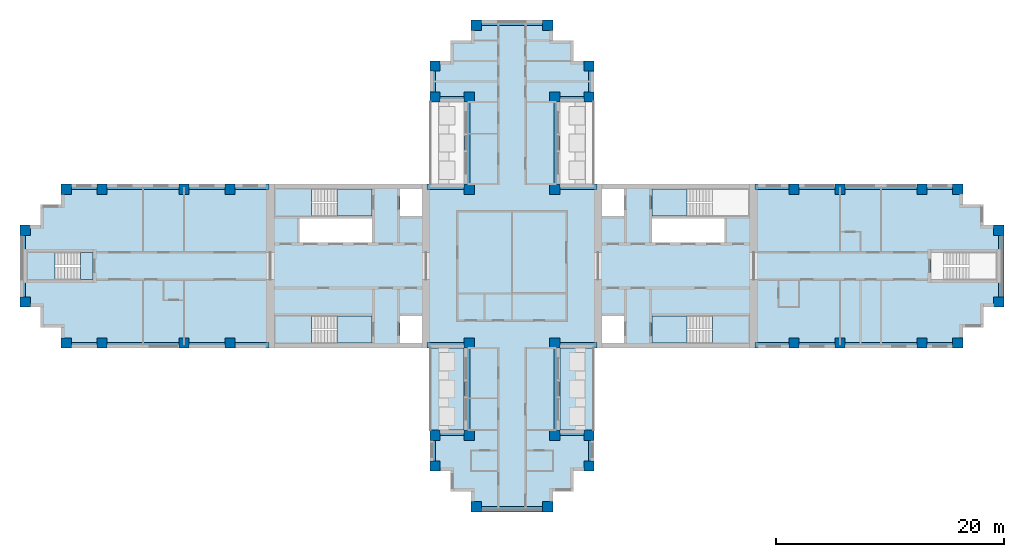
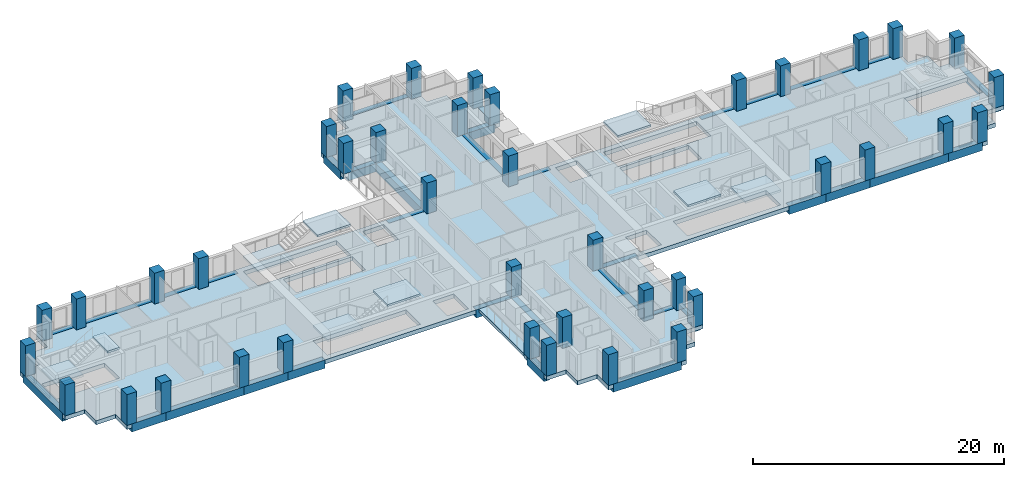
# One storey, part 1 of 12: 40 columns, 36 beams, 12 slabs, 5 elements without a shape of their own.
"""IFC4 building model written with IfcOpenShell, lengths in metres."""

import ifcopenshell
import ifcopenshell.guid

model = None  # the IFC model being written
_history = None  # IfcOwnerHistory: only IFC2X3 demands one
_inside = {}  # id of a spatial element -> (the spatial element, [elements in it])
_under = {}  # id of a project, library or spatial element -> (it, [spatial elements below it])
_declared = {}  # id of a project -> (the project, [libraries it declares])
_typed = {}  # id of a type object -> (the type object, [elements of that type])
_made_of = {}  # id of a material, layer set ... -> (it, [elements and type objects made of it])


def new_model(schema):
    """Start an empty IFC model of exactly this schema.

    Asked for "IFC4X3", IfcOpenShell would pick the latest addendum, in which some entities
    have other attributes; the version numbers below select the first issue.
    IFC2X3 requires an IfcOwnerHistory on every rooted entity: one is made here for all.
    """
    global model, _history
    if schema == "IFC4X3":
        model = ifcopenshell.file(schema_version=(4, 3, 0, 0))
    else:
        model = ifcopenshell.file(schema=schema)
    _inside.clear()
    _under.clear()
    _declared.clear()
    _typed.clear()
    _made_of.clear()
    _history = None
    if model.schema == "IFC2X3":
        org = make("IfcOrganization", Name="unknown")
        user = make(
            "IfcPersonAndOrganization",
            ThePerson=make("IfcPerson", FamilyName="unknown"),
            TheOrganization=org,
        )
        app = make(
            "IfcApplication",
            ApplicationDeveloper=org,
            Version="unknown",
            ApplicationFullName="unknown",
            ApplicationIdentifier="unknown",
        )
        _history = make(
            "IfcOwnerHistory",
            OwningUser=user,
            OwningApplication=app,
            ChangeAction="ADDED",
            CreationDate=0,
        )
    return model


def make(cls, **values):
    """One entity of the class cls with the attributes given. An attribute that is None is left unset."""
    return model.create_entity(
        cls, **{name: value for name, value in values.items() if value is not None}
    )


def rooted(cls, **values):
    """An entity with a GlobalId (a new one), such as an element, a storey or a relation."""
    return make(cls, GlobalId=ifcopenshell.guid.new(), OwnerHistory=_history, **values)


def si_unit(unit_type, name, prefix=None):
    """IfcSIUnit, for example si_unit("LENGTHUNIT", "METRE", prefix="MILLI")."""
    return make("IfcSIUnit", UnitType=unit_type, Prefix=prefix, Name=name)


def assignment(units):
    """IfcUnitAssignment: the units of a project."""
    return None if units is None else make("IfcUnitAssignment", Units=units)


def point(xyz):
    """IfcCartesianPoint."""
    return None if xyz is None else make("IfcCartesianPoint", Coordinates=xyz)


def direction(xyz):
    """IfcDirection."""
    return None if xyz is None else make("IfcDirection", DirectionRatios=xyz)


def frame(location, z_axis=None, x_axis=None):
    """IfcAxis2Placement3D, a coordinate frame: its origin and axes. An axis left out is left unset."""
    return make(
        "IfcAxis2Placement3D",
        Location=point(location),
        Axis=direction(z_axis),
        RefDirection=direction(x_axis),
    )


def frame_2d(location, x_axis=None):
    """IfcAxis2Placement2D, a coordinate frame in the plane: its origin and x axis."""
    return make(
        "IfcAxis2Placement2D", Location=point(location), RefDirection=direction(x_axis)
    )


def origin():
    """The frame at (0, 0, 0) with its axes left unset."""
    return frame((0.0, 0.0, 0.0))


def origin_2d():
    """The frame at (0, 0) in the plane with its x axis left unset."""
    return frame_2d((0.0, 0.0))


def place(relative_to, where):
    """IfcLocalPlacement: puts the frame where relative to a parent placement (None: the world)."""
    return make(
        "IfcLocalPlacement", PlacementRelTo=relative_to, RelativePlacement=where
    )


def context(
    kind, dimensions, precision=None, world=None, true_north=None, identifier=None
):
    """IfcGeometricRepresentationContext, for example the 3D "Model" context."""
    return make(
        "IfcGeometricRepresentationContext",
        ContextIdentifier=identifier,
        ContextType=kind,
        CoordinateSpaceDimension=dimensions,
        Precision=precision,
        WorldCoordinateSystem=world,
        TrueNorth=true_north,
    )


def subcontext(parent, identifier, kind, view, scale=None):
    """IfcGeometricRepresentationSubContext, for example "Body" below "Model"."""
    return make(
        "IfcGeometricRepresentationSubContext",
        ContextIdentifier=identifier,
        ContextType=kind,
        ParentContext=parent,
        TargetScale=scale,
        TargetView=view,
    )


def project(units=None, contexts=None):
    """IfcProject with its units and contexts."""
    return rooted(
        "IfcProject",
        Name="project",
        RepresentationContexts=contexts,
        UnitsInContext=assignment(units),
    )


def spatial(cls, under=None, at=None, **own):
    """A site, building, storey or space (cls), placed at a placement, below another one or the project."""
    s = rooted(cls, ObjectPlacement=at, **own)
    if under is not None:
        _under.setdefault(under.id(), (under, []))[1].append(s)
    return s


def polyline(points):
    """IfcPolyline through the points."""
    return make("IfcPolyline", Points=[point(p) for p in points])


def profile(cls, at=None, kind="AREA", **sizes):
    """A parametric profile (cls). Its sizes go by their IFC names, for example OverallWidth=200.0."""
    return make(cls, ProfileType=kind, Position=at, **sizes)


def rectangle(**sizes):
    """IfcRectangleProfileDef."""
    return profile("IfcRectangleProfileDef", **sizes)


def outline(outer, holes=None, kind="AREA"):
    """IfcArbitraryClosedProfileDef: a profile drawn as a closed curve; with holes, ...WithVoids."""
    if holes is None:
        return make("IfcArbitraryClosedProfileDef", ProfileType=kind, OuterCurve=outer)
    return make(
        "IfcArbitraryProfileDefWithVoids",
        ProfileType=kind,
        OuterCurve=outer,
        InnerCurves=holes,
    )


def extrude(swept, where, along, depth):
    """IfcExtrudedAreaSolid: the profile swept, set in the frame where, extruded along a direction by depth."""
    return make(
        "IfcExtrudedAreaSolid",
        SweptArea=swept,
        Position=where,
        ExtrudedDirection=direction(along),
        Depth=depth,
    )


def shape(context_of_items, identifier, shape_type, items):
    """IfcShapeRepresentation: the items that make up one representation, for example the "Body"."""
    return make(
        "IfcShapeRepresentation",
        ContextOfItems=context_of_items,
        RepresentationIdentifier=identifier,
        RepresentationType=shape_type,
        Items=items,
    )


def material(Name=None, Category=None):
    """IfcMaterial."""
    return make("IfcMaterial", Name=Name, Category=Category)


def layer(
    of_material, thickness, ventilated=None, Name=None, Category=None, Priority=None
):
    """IfcMaterialLayer: one layer of a wall or slab, of a material (None: an air gap)."""
    return make(
        "IfcMaterialLayer",
        Material=of_material,
        LayerThickness=thickness,
        IsVentilated=ventilated,
        Name=Name,
        Category=Category,
        Priority=Priority,
    )


def layer_set(layers, Name=None):
    """IfcMaterialLayerSet."""
    return make("IfcMaterialLayerSet", MaterialLayers=layers, LayerSetName=Name)


def material_profile(
    of_material, cross_section, Name=None, Category=None, Priority=None
):
    """IfcMaterialProfile: a cross section and its material."""
    return make(
        "IfcMaterialProfile",
        Name=Name,
        Material=of_material,
        Profile=cross_section,
        Priority=Priority,
        Category=Category,
    )


def profile_set(profiles, Name=None, composite=None):
    """IfcMaterialProfileSet."""
    return make(
        "IfcMaterialProfileSet",
        Name=Name,
        MaterialProfiles=profiles,
        CompositeProfile=composite,
    )


def made_of(thing, what):
    """Note that an element or type object is made of a material, layer set ...; save() writes the relation."""
    if what is not None:
        _made_of.setdefault(what.id(), (what, []))[1].append(thing)
    return thing


def type_object(cls, material=None, **own):
    """A type object (cls), such as IfcWallType, which elements share."""
    return made_of(rooted(cls, **own), material)


def element(
    cls,
    number,
    at=None,
    inside=None,
    cuts=None,
    type_object=None,
    material=None,
    context=None,
    identifier="Body",
    shape_type=None,
    held_by="IfcProductDefinitionShape",
    body=None,
    shapes=None,
    **own,
):
    """One element of the class cls, such as IfcWall. Its Tag is "e" and its number.

    at: its placement. inside: the storey or other place that contains it. cuts: it is an
    opening in that element (IfcRelVoidsElement). A single representation is given by context,
    identifier, shape_type and body (its items); several are given by shapes. held_by: the class
    of the entity that holds the representations. save() writes the other relations.
    """
    e = rooted(cls, Tag="e%d" % number, ObjectPlacement=at, **own)
    if body is not None:
        shapes = [shape(context, identifier, shape_type, body)]
    if shapes is not None:
        e.Representation = make(held_by, Representations=shapes)
    if inside is not None:
        _inside.setdefault(inside.id(), (inside, []))[1].append(e)
    if cuts is not None:
        rooted(
            "IfcRelVoidsElement", RelatingBuildingElement=cuts, RelatedOpeningElement=e
        )
    if type_object is not None:
        _typed.setdefault(type_object.id(), (type_object, []))[1].append(e)
    return made_of(e, material)


def aggregate(whole, parts):
    """IfcRelAggregates: a whole, such as a stair, and the parts it consists of."""
    return rooted("IfcRelAggregates", RelatingObject=whole, RelatedObjects=parts)


def save(model, path):
    """Write the relations noted so far, then the file.

    IfcRelAggregates (storeys below a building ...), IfcRelContainedInSpatialStructure (elements
    in a storey), IfcRelDefinesByType, IfcRelAssociatesMaterial and IfcRelDeclares: one each for
    every whole, place, type object, material and project.
    """
    for whole, parts in _under.values():
        aggregate(whole, parts)
    for where, things in _inside.values():
        rooted(
            "IfcRelContainedInSpatialStructure",
            RelatedElements=things,
            RelatingStructure=where,
        )
    for kind, things in _typed.values():
        rooted("IfcRelDefinesByType", RelatedObjects=things, RelatingType=kind)
    for what, things in _made_of.values():
        rooted("IfcRelAssociatesMaterial", RelatedObjects=things, RelatingMaterial=what)
    for by, libraries in _declared.values():
        rooted("IfcRelDeclares", RelatingContext=by, RelatedDefinitions=libraries)
    model.write(path)


model = new_model("IFC4")

# Units and contexts
model_context = context("Model", 3, precision=1e-05, world=origin(), true_north=direction((0.0, 1.0)))
body_context = subcontext(model_context, "Body", "Model", "MODEL_VIEW")
ifc_project = project(units=[si_unit("LENGTHUNIT", "METRE"), si_unit("AREAUNIT", "SQUARE_METRE"), si_unit("VOLUMEUNIT", "CUBIC_METRE"), si_unit("PLANEANGLEUNIT", "RADIAN"), si_unit("MASSUNIT", "GRAM", prefix="KILO")], contexts=[model_context])

# Site, building, storey
site_placement = place(None, origin())
site = spatial("IfcSite", under=ifc_project, at=site_placement, CompositionType="ELEMENT")
building_placement = place(site_placement, origin())
building = spatial("IfcBuilding", under=site, at=building_placement, Name="Fustian Cross Tower", CompositionType="ELEMENT")
storey_placement = place(building_placement, frame((0.0, 0.0, 159.300048828125)))
storey = spatial("IfcBuildingStorey", under=building, at=storey_placement, Name="L50", CompositionType="ELEMENT", Elevation=159.300048828125)

# Columns
ifc_material_1 = material(Name="Concrete C50/60", Category="concrete")
ifc_material_profile_1 = material_profile(ifc_material_1, rectangle(XDim=0.89990234375, YDim=0.89990234375, at=origin_2d()), Name="RC 900x900")
ifc_profile_set_1 = profile_set([ifc_material_profile_1], Name="Concrete C50/60")
column_type = type_object("IfcColumnType", Name="COLUMN RC 900x900 C50/60", PredefinedType="COLUMN", material=ifc_profile_set_1)
for number, where, z_axis, x_axis, name in (
    (1, (-42.75, -3.14990234375, 0.0), (0.0, 0.0, 1.0), (1.0, 0.0, 0.0), "COLUMN 001"),
    (2, (-42.75, 3.14990234375, 0.0), (0.0, 0.0, 1.0), (1.0, 0.0, 0.0), "COLUMN 002"),
    (3, (-39.14990234375, -6.75, 0.0), (0.0, 0.0, 1.0), (1.0, 0.0, 0.0), "COLUMN 003"),
    (4, (-39.14990234375, 6.75, 0.0), (0.0, 0.0, 1.0), (1.0, 0.0, 0.0), "COLUMN 004"),
    (5, (-36.0, -6.75, 0.0), (0.0, 0.0, 1.0), (1.0, 0.0, 0.0), "COLUMN 005"),
    (6, (-36.0, 6.75, 0.0), (0.0, 0.0, 1.0), (1.0, 0.0, 0.0), "COLUMN 006"),
    (7, (-28.800048828125, -6.75, 0.0), (0.0, 0.0, 1.0), (1.0, 0.0, 0.0), "COLUMN 007"),
    (8, (-28.800048828125, 6.75, 0.0), (0.0, 0.0, 1.0), (1.0, 0.0, 0.0), "COLUMN 010"),
    (9, (-24.75, -6.75, 0.0), (0.0, 0.0, 1.0), (1.0, 0.0, 0.0), "COLUMN 011"),
    (10, (-24.75, 6.75, 0.0), (0.0, 0.0, 1.0), (1.0, 0.0, 0.0), "COLUMN 012"),
    (11, (-6.75, -17.550048828125, 0.0), (0.0, 0.0, 1.0), (1.0, 0.0, 0.0), "COLUMN 017"),
    (12, (-6.75, -14.85009765625, 0.0), (0.0, 0.0, 1.0), (1.0, 0.0, 0.0), "COLUMN 018"),
    (13, (-6.75, 14.85009765625, 0.0), (0.0, 0.0, 1.0), (1.0, 0.0, 0.0), "COLUMN 019"),
    (14, (-6.75, 17.550048828125, 0.0), (0.0, 0.0, 1.0), (1.0, 0.0, 0.0), "COLUMN 020"),
    (15, (-3.75, -14.85009765625, 0.0), (0.0, 0.0, 1.0), (1.0, 0.0, 0.0), "COLUMN 025"),
    (16, (-3.75, -6.75, 0.0), (0.0, 0.0, 1.0), (1.0, 0.0, 0.0), "COLUMN 026"),
    (17, (-3.75, 6.75, 0.0), (0.0, 0.0, 1.0), (1.0, 0.0, 0.0), "COLUMN 027"),
    (18, (-3.75, 14.85009765625, 0.0), (0.0, 0.0, 1.0), (1.0, 0.0, 0.0), "COLUMN 028"),
    (19, (-3.14990234375, -21.14990234375, 0.0), (0.0, 0.0, 1.0), (1.0, 0.0, 0.0), "COLUMN 030"),
    (20, (-3.14990234375, 21.14990234375, 0.0), (0.0, 0.0, 1.0), (1.0, 0.0, 0.0), "COLUMN 031"),
    (21, (3.14990234375, -21.14990234375, 0.0), (0.0, 0.0, 1.0), (1.0, 0.0, 0.0), "COLUMN 034"),
    (22, (3.14990234375, 21.14990234375, 0.0), (0.0, 0.0, 1.0), (1.0, 0.0, 0.0), "COLUMN 035"),
    (23, (3.75, -14.85009765625, 0.0), (0.0, 0.0, 1.0), (1.0, 0.0, 0.0), "COLUMN 037"),
    (24, (3.75, -6.75, 0.0), (0.0, 0.0, 1.0), (1.0, 0.0, 0.0), "COLUMN 038"),
    (25, (3.75, 6.75, 0.0), (0.0, 0.0, 1.0), (1.0, 0.0, 0.0), "COLUMN 039"),
    (26, (3.75, 14.85009765625, 0.0), (0.0, 0.0, 1.0), (1.0, 0.0, 0.0), "COLUMN 040"),
    (27, (6.75, -17.550048828125, 0.0), (0.0, 0.0, 1.0), (1.0, 0.0, 0.0), "COLUMN 045"),
    (28, (6.75, -14.85009765625, 0.0), (0.0, 0.0, 1.0), (1.0, 0.0, 0.0), "COLUMN 046"),
    (29, (6.75, 14.85009765625, 0.0), (0.0, 0.0, 1.0), (1.0, 0.0, 0.0), "COLUMN 047"),
    (30, (6.75, 17.550048828125, 0.0), (0.0, 0.0, 1.0), (1.0, 0.0, 0.0), "COLUMN 048"),
    (31, (24.75, -6.75, 0.0), (0.0, 0.0, 1.0), (1.0, 0.0, 0.0), "COLUMN 053"),
    (32, (24.75, 6.75, 0.0), (0.0, 0.0, 1.0), (1.0, 0.0, 0.0), "COLUMN 054"),
    (33, (28.800048828125, -6.75, 0.0), (0.0, 0.0, 1.0), (1.0, 0.0, 0.0), "COLUMN 055"),
    (34, (28.800048828125, 6.75, 0.0), (0.0, 0.0, 1.0), (1.0, 0.0, 0.0), "COLUMN 058"),
    (35, (36.0, -6.75, 0.0), (0.0, 0.0, 1.0), (1.0, 0.0, 0.0), "COLUMN 059"),
    (36, (36.0, 6.75, 0.0), (0.0, 0.0, 1.0), (1.0, 0.0, 0.0), "COLUMN 060"),
    (37, (39.14990234375, -6.75, 0.0), (0.0, 0.0, 1.0), (1.0, 0.0, 0.0), "COLUMN 061"),
    (38, (39.14990234375, 6.75, 0.0), (0.0, 0.0, 1.0), (1.0, 0.0, 0.0), "COLUMN 062"),
    (39, (42.75, -3.14990234375, 0.0), (0.0, 0.0, 1.0), (1.0, 0.0, 0.0), "COLUMN 063"),
    (40, (42.75, 3.14990234375, 0.0), (0.0, 0.0, 1.0), (1.0, 0.0, 0.0), "COLUMN 064"),
):
    element("IfcColumn", number, at=place(storey_placement, frame(where, z_axis=z_axis, x_axis=x_axis)), inside=storey, type_object=column_type, Name=name, PredefinedType="COLUMN", context=body_context, shape_type="SweptSolid", body=[
        extrude(rectangle(XDim=0.89990234375, YDim=0.89990234375, at=origin_2d()), origin(), (0.0, 0.0, 1.0), 3.0),
    ])

# Beams
ifc_material_2 = material(Name="Concrete C50/60", Category="concrete")
ifc_material_profile_2 = material_profile(ifc_material_2, rectangle(XDim=0.5, YDim=0.800048828125, at=origin_2d()), Name="RC 500x800")
ifc_profile_set_2 = profile_set([ifc_material_profile_2], Name="Concrete C50/60")
beam_type = type_object("IfcBeamType", Name="EDGE BEAM RC 500x800 C50/60", PredefinedType="SPANDREL", material=ifc_profile_set_2)
beam_1_placement = place(storey_placement, frame((21.35009765625, -6.949951171875, -0.400146484375), z_axis=(1.0, 0.0, 0.0), x_axis=(0.0, 1.0, 0.0)))
element("IfcBeam", 41, at=beam_1_placement, inside=storey, type_object=beam_type, Name="EDGE BEAM L50-01", PredefinedType="SPANDREL", context=body_context, shape_type="SweptSolid", body=[
    extrude(rectangle(XDim=0.5, YDim=0.800048828125, at=origin_2d()), origin(), (0.0, 0.0, 1.0), 3.39990234375),
])
beam_2_placement = place(storey_placement, frame((24.75, -6.949951171875, -0.400146484375), z_axis=(1.0, 0.0, 0.0), x_axis=(0.0, 1.0, 0.0)))
element("IfcBeam", 42, at=beam_2_placement, inside=storey, type_object=beam_type, Name="EDGE BEAM L50-02", PredefinedType="SPANDREL", context=body_context, shape_type="SweptSolid", body=[
    extrude(rectangle(XDim=0.5, YDim=0.800048828125, at=origin_2d()), origin(), (0.0, 0.0, 1.0), 4.050048828125),
])
beam_3_placement = place(storey_placement, frame((28.800048828125, -6.949951171875, -0.400146484375), z_axis=(1.0, 0.0, 0.0), x_axis=(0.0, 1.0, 0.0)))
element("IfcBeam", 43, at=beam_3_placement, inside=storey, type_object=beam_type, Name="EDGE BEAM L50-03", PredefinedType="SPANDREL", context=body_context, shape_type="SweptSolid", body=[
    extrude(rectangle(XDim=0.5, YDim=0.800048828125, at=origin_2d()), origin(), (0.0, 0.0, 1.0), 7.199951171875),
])
beam_4_placement = place(storey_placement, frame((36.0, -6.949951171875, -0.400146484375), z_axis=(1.0, 0.0, 0.0), x_axis=(0.0, 1.0, 0.0)))
element("IfcBeam", 44, at=beam_4_placement, inside=storey, type_object=beam_type, Name="EDGE BEAM L50-04", PredefinedType="SPANDREL", context=body_context, shape_type="SweptSolid", body=[
    extrude(rectangle(XDim=0.5, YDim=0.800048828125, at=origin_2d()), origin(), (0.0, 0.0, 1.0), 3.14990234375),
])
beam_5_placement = place(storey_placement, frame((42.949951171875, -3.14990234375, -0.400146484375), z_axis=(0.0, 1.0, 0.0), x_axis=(-1.0, 0.0, 0.0)))
element("IfcBeam", 45, at=beam_5_placement, inside=storey, type_object=beam_type, Name="EDGE BEAM L50-05", PredefinedType="SPANDREL", context=body_context, shape_type="SweptSolid", body=[
    extrude(rectangle(XDim=0.5, YDim=0.800048828125, at=origin_2d()), origin(), (0.0, 0.0, 1.0), 6.2998046875),
])
beam_6_placement = place(storey_placement, frame((39.14990234375, 6.949951171875, -0.400146484375), z_axis=(-1.0, 0.0, 0.0), x_axis=(0.0, -1.0, 0.0)))
element("IfcBeam", 46, at=beam_6_placement, inside=storey, type_object=beam_type, Name="EDGE BEAM L50-06", PredefinedType="SPANDREL", context=body_context, shape_type="SweptSolid", body=[
    extrude(rectangle(XDim=0.5, YDim=0.800048828125, at=origin_2d()), origin(), (0.0, 0.0, 1.0), 3.14990234375),
])
beam_7_placement = place(storey_placement, frame((36.0, 6.949951171875, -0.400146484375), z_axis=(-1.0, 0.0, 0.0), x_axis=(0.0, -1.0, 0.0)))
element("IfcBeam", 47, at=beam_7_placement, inside=storey, type_object=beam_type, Name="EDGE BEAM L50-07", PredefinedType="SPANDREL", context=body_context, shape_type="SweptSolid", body=[
    extrude(rectangle(XDim=0.5, YDim=0.800048828125, at=origin_2d()), origin(), (0.0, 0.0, 1.0), 7.199951171875),
])
beam_8_placement = place(storey_placement, frame((28.800048828125, 6.949951171875, -0.400146484375), z_axis=(-1.0, 0.0, 0.0), x_axis=(0.0, -1.0, 0.0)))
element("IfcBeam", 48, at=beam_8_placement, inside=storey, type_object=beam_type, Name="EDGE BEAM L50-08", PredefinedType="SPANDREL", context=body_context, shape_type="SweptSolid", body=[
    extrude(rectangle(XDim=0.5, YDim=0.800048828125, at=origin_2d()), origin(), (0.0, 0.0, 1.0), 4.050048828125),
])
beam_9_placement = place(storey_placement, frame((24.75, 6.949951171875, -0.400146484375), z_axis=(-1.0, 0.0, 0.0), x_axis=(0.0, -1.0, 0.0)))
element("IfcBeam", 49, at=beam_9_placement, inside=storey, type_object=beam_type, Name="EDGE BEAM L50-09", PredefinedType="SPANDREL", context=body_context, shape_type="SweptSolid", body=[
    extrude(rectangle(XDim=0.5, YDim=0.800048828125, at=origin_2d()), origin(), (0.0, 0.0, 1.0), 3.39990234375),
])
beam_10_placement = place(storey_placement, frame((7.449951171875, 6.949951171875, -0.400146484375), z_axis=(-1.0, 0.0, 0.0), x_axis=(0.0, -1.0, 0.0)))
element("IfcBeam", 50, at=beam_10_placement, inside=storey, type_object=beam_type, Name="EDGE BEAM L50-10", PredefinedType="SPANDREL", context=body_context, shape_type="SweptSolid", body=[
    extrude(rectangle(XDim=0.5, YDim=0.800048828125, at=origin_2d()), origin(), (0.0, 0.0, 1.0), 3.699951171875),
])
beam_11_placement = place(storey_placement, frame((3.949951171875, 6.75, -0.400146484375), z_axis=(0.0, 1.0, 0.0), x_axis=(-1.0, 0.0, 0.0)))
element("IfcBeam", 51, at=beam_11_placement, inside=storey, type_object=beam_type, Name="EDGE BEAM L50-11", PredefinedType="SPANDREL", context=body_context, shape_type="SweptSolid", body=[
    extrude(rectangle(XDim=0.5, YDim=0.800048828125, at=origin_2d()), origin(), (0.0, 0.0, 1.0), 8.10009765625),
])
beam_12_placement = place(storey_placement, frame((3.75, 14.64990234375, -0.400146484375), z_axis=(1.0, 0.0, 0.0), x_axis=(0.0, 1.0, 0.0)))
element("IfcBeam", 52, at=beam_12_placement, inside=storey, type_object=beam_type, Name="EDGE BEAM L50-12", PredefinedType="SPANDREL", context=body_context, shape_type="SweptSolid", body=[
    extrude(rectangle(XDim=0.5, YDim=0.800048828125, at=origin_2d()), origin(), (0.0, 0.0, 1.0), 3.0),
])
beam_13_placement = place(storey_placement, frame((6.949951171875, 14.85009765625, -0.400146484375), z_axis=(0.0, 1.0, 0.0), x_axis=(-1.0, 0.0, 0.0)))
element("IfcBeam", 53, at=beam_13_placement, inside=storey, type_object=beam_type, Name="EDGE BEAM L50-13", PredefinedType="SPANDREL", context=body_context, shape_type="SweptSolid", body=[
    extrude(rectangle(XDim=0.5, YDim=0.800048828125, at=origin_2d()), origin(), (0.0, 0.0, 1.0), 2.699951171875),
])
beam_14_placement = place(storey_placement, frame((3.14990234375, 21.35009765625, -0.400146484375), z_axis=(-1.0, 0.0, 0.0), x_axis=(0.0, -1.0, 0.0)))
element("IfcBeam", 54, at=beam_14_placement, inside=storey, type_object=beam_type, Name="EDGE BEAM L50-14", PredefinedType="SPANDREL", context=body_context, shape_type="SweptSolid", body=[
    extrude(rectangle(XDim=0.5, YDim=0.800048828125, at=origin_2d()), origin(), (0.0, 0.0, 1.0), 6.2998046875),
])
beam_15_placement = place(storey_placement, frame((-6.949951171875, 17.550048828125, -0.400146484375), z_axis=(0.0, -1.0, 0.0), x_axis=(1.0, 0.0, 0.0)))
element("IfcBeam", 55, at=beam_15_placement, inside=storey, type_object=beam_type, Name="EDGE BEAM L50-15", PredefinedType="SPANDREL", context=body_context, shape_type="SweptSolid", body=[
    extrude(rectangle(XDim=0.5, YDim=0.800048828125, at=origin_2d()), origin(), (0.0, 0.0, 1.0), 2.699951171875),
])
beam_16_placement = place(storey_placement, frame((-6.75, 14.64990234375, -0.400146484375), z_axis=(1.0, 0.0, 0.0), x_axis=(0.0, 1.0, 0.0)))
element("IfcBeam", 56, at=beam_16_placement, inside=storey, type_object=beam_type, Name="EDGE BEAM L50-16", PredefinedType="SPANDREL", context=body_context, shape_type="SweptSolid", body=[
    extrude(rectangle(XDim=0.5, YDim=0.800048828125, at=origin_2d()), origin(), (0.0, 0.0, 1.0), 3.0),
])
beam_17_placement = place(storey_placement, frame((-3.949951171875, 14.85009765625, -0.400146484375), z_axis=(0.0, -1.0, 0.0), x_axis=(1.0, 0.0, 0.0)))
element("IfcBeam", 57, at=beam_17_placement, inside=storey, type_object=beam_type, Name="EDGE BEAM L50-17", PredefinedType="SPANDREL", context=body_context, shape_type="SweptSolid", body=[
    extrude(rectangle(XDim=0.5, YDim=0.800048828125, at=origin_2d()), origin(), (0.0, 0.0, 1.0), 8.10009765625),
])
beam_18_placement = place(storey_placement, frame((-3.75, 6.949951171875, -0.400146484375), z_axis=(-1.0, 0.0, 0.0), x_axis=(0.0, -1.0, 0.0)))
element("IfcBeam", 58, at=beam_18_placement, inside=storey, type_object=beam_type, Name="EDGE BEAM L50-18", PredefinedType="SPANDREL", context=body_context, shape_type="SweptSolid", body=[
    extrude(rectangle(XDim=0.5, YDim=0.800048828125, at=origin_2d()), origin(), (0.0, 0.0, 1.0), 3.699951171875),
])
beam_19_placement = place(storey_placement, frame((-21.35009765625, 6.949951171875, -0.400146484375), z_axis=(-1.0, 0.0, 0.0), x_axis=(0.0, -1.0, 0.0)))
element("IfcBeam", 59, at=beam_19_placement, inside=storey, type_object=beam_type, Name="EDGE BEAM L50-19", PredefinedType="SPANDREL", context=body_context, shape_type="SweptSolid", body=[
    extrude(rectangle(XDim=0.5, YDim=0.800048828125, at=origin_2d()), origin(), (0.0, 0.0, 1.0), 3.39990234375),
])
beam_20_placement = place(storey_placement, frame((-24.75, 6.949951171875, -0.400146484375), z_axis=(-1.0, 0.0, 0.0), x_axis=(0.0, -1.0, 0.0)))
element("IfcBeam", 60, at=beam_20_placement, inside=storey, type_object=beam_type, Name="EDGE BEAM L50-20", PredefinedType="SPANDREL", context=body_context, shape_type="SweptSolid", body=[
    extrude(rectangle(XDim=0.5, YDim=0.800048828125, at=origin_2d()), origin(), (0.0, 0.0, 1.0), 4.050048828125),
])
beam_21_placement = place(storey_placement, frame((-28.800048828125, 6.949951171875, -0.400146484375), z_axis=(-1.0, 0.0, 0.0), x_axis=(0.0, -1.0, 0.0)))
element("IfcBeam", 61, at=beam_21_placement, inside=storey, type_object=beam_type, Name="EDGE BEAM L50-21", PredefinedType="SPANDREL", context=body_context, shape_type="SweptSolid", body=[
    extrude(rectangle(XDim=0.5, YDim=0.800048828125, at=origin_2d()), origin(), (0.0, 0.0, 1.0), 7.199951171875),
])
beam_22_placement = place(storey_placement, frame((-36.0, 6.949951171875, -0.400146484375), z_axis=(-1.0, 0.0, 0.0), x_axis=(0.0, -1.0, 0.0)))
element("IfcBeam", 62, at=beam_22_placement, inside=storey, type_object=beam_type, Name="EDGE BEAM L50-22", PredefinedType="SPANDREL", context=body_context, shape_type="SweptSolid", body=[
    extrude(rectangle(XDim=0.5, YDim=0.800048828125, at=origin_2d()), origin(), (0.0, 0.0, 1.0), 3.14990234375),
])
beam_23_placement = place(storey_placement, frame((-42.949951171875, 3.14990234375, -0.400146484375), z_axis=(0.0, -1.0, 0.0), x_axis=(1.0, 0.0, 0.0)))
element("IfcBeam", 63, at=beam_23_placement, inside=storey, type_object=beam_type, Name="EDGE BEAM L50-23", PredefinedType="SPANDREL", context=body_context, shape_type="SweptSolid", body=[
    extrude(rectangle(XDim=0.5, YDim=0.800048828125, at=origin_2d()), origin(), (0.0, 0.0, 1.0), 6.2998046875),
])
beam_24_placement = place(storey_placement, frame((-39.14990234375, -6.949951171875, -0.400146484375), z_axis=(1.0, 0.0, 0.0), x_axis=(0.0, 1.0, 0.0)))
element("IfcBeam", 64, at=beam_24_placement, inside=storey, type_object=beam_type, Name="EDGE BEAM L50-24", PredefinedType="SPANDREL", context=body_context, shape_type="SweptSolid", body=[
    extrude(rectangle(XDim=0.5, YDim=0.800048828125, at=origin_2d()), origin(), (0.0, 0.0, 1.0), 3.14990234375),
])
beam_25_placement = place(storey_placement, frame((-36.0, -6.949951171875, -0.400146484375), z_axis=(1.0, 0.0, 0.0), x_axis=(0.0, 1.0, 0.0)))
element("IfcBeam", 65, at=beam_25_placement, inside=storey, type_object=beam_type, Name="EDGE BEAM L50-25", PredefinedType="SPANDREL", context=body_context, shape_type="SweptSolid", body=[
    extrude(rectangle(XDim=0.5, YDim=0.800048828125, at=origin_2d()), origin(), (0.0, 0.0, 1.0), 7.199951171875),
])
beam_26_placement = place(storey_placement, frame((-28.800048828125, -6.949951171875, -0.400146484375), z_axis=(1.0, 0.0, 0.0), x_axis=(0.0, 1.0, 0.0)))
element("IfcBeam", 66, at=beam_26_placement, inside=storey, type_object=beam_type, Name="EDGE BEAM L50-26", PredefinedType="SPANDREL", context=body_context, shape_type="SweptSolid", body=[
    extrude(rectangle(XDim=0.5, YDim=0.800048828125, at=origin_2d()), origin(), (0.0, 0.0, 1.0), 4.050048828125),
])
beam_27_placement = place(storey_placement, frame((-24.75, -6.949951171875, -0.400146484375), z_axis=(1.0, 0.0, 0.0), x_axis=(0.0, 1.0, 0.0)))
element("IfcBeam", 67, at=beam_27_placement, inside=storey, type_object=beam_type, Name="EDGE BEAM L50-27", PredefinedType="SPANDREL", context=body_context, shape_type="SweptSolid", body=[
    extrude(rectangle(XDim=0.5, YDim=0.800048828125, at=origin_2d()), origin(), (0.0, 0.0, 1.0), 3.39990234375),
])
beam_28_placement = place(storey_placement, frame((-7.449951171875, -6.949951171875, -0.400146484375), z_axis=(1.0, 0.0, 0.0), x_axis=(0.0, 1.0, 0.0)))
element("IfcBeam", 68, at=beam_28_placement, inside=storey, type_object=beam_type, Name="EDGE BEAM L50-28", PredefinedType="SPANDREL", context=body_context, shape_type="SweptSolid", body=[
    extrude(rectangle(XDim=0.5, YDim=0.800048828125, at=origin_2d()), origin(), (0.0, 0.0, 1.0), 3.699951171875),
])
beam_29_placement = place(storey_placement, frame((-3.949951171875, -6.75, -0.400146484375), z_axis=(0.0, -1.0, 0.0), x_axis=(1.0, 0.0, 0.0)))
element("IfcBeam", 69, at=beam_29_placement, inside=storey, type_object=beam_type, Name="EDGE BEAM L50-29", PredefinedType="SPANDREL", context=body_context, shape_type="SweptSolid", body=[
    extrude(rectangle(XDim=0.5, YDim=0.800048828125, at=origin_2d()), origin(), (0.0, 0.0, 1.0), 8.10009765625),
])
beam_30_placement = place(storey_placement, frame((-3.75, -14.64990234375, -0.400146484375), z_axis=(-1.0, 0.0, 0.0), x_axis=(0.0, -1.0, 0.0)))
element("IfcBeam", 70, at=beam_30_placement, inside=storey, type_object=beam_type, Name="EDGE BEAM L50-30", PredefinedType="SPANDREL", context=body_context, shape_type="SweptSolid", body=[
    extrude(rectangle(XDim=0.5, YDim=0.800048828125, at=origin_2d()), origin(), (0.0, 0.0, 1.0), 3.0),
])
beam_31_placement = place(storey_placement, frame((-6.949951171875, -14.85009765625, -0.400146484375), z_axis=(0.0, -1.0, 0.0), x_axis=(1.0, 0.0, 0.0)))
element("IfcBeam", 71, at=beam_31_placement, inside=storey, type_object=beam_type, Name="EDGE BEAM L50-31", PredefinedType="SPANDREL", context=body_context, shape_type="SweptSolid", body=[
    extrude(rectangle(XDim=0.5, YDim=0.800048828125, at=origin_2d()), origin(), (0.0, 0.0, 1.0), 2.699951171875),
])
beam_32_placement = place(storey_placement, frame((-3.14990234375, -21.35009765625, -0.400146484375), z_axis=(1.0, 0.0, 0.0), x_axis=(0.0, 1.0, 0.0)))
element("IfcBeam", 72, at=beam_32_placement, inside=storey, type_object=beam_type, Name="EDGE BEAM L50-32", PredefinedType="SPANDREL", context=body_context, shape_type="SweptSolid", body=[
    extrude(rectangle(XDim=0.5, YDim=0.800048828125, at=origin_2d()), origin(), (0.0, 0.0, 1.0), 6.2998046875),
])
beam_33_placement = place(storey_placement, frame((6.949951171875, -17.550048828125, -0.400146484375), z_axis=(0.0, 1.0, 0.0), x_axis=(-1.0, 0.0, 0.0)))
element("IfcBeam", 73, at=beam_33_placement, inside=storey, type_object=beam_type, Name="EDGE BEAM L50-33", PredefinedType="SPANDREL", context=body_context, shape_type="SweptSolid", body=[
    extrude(rectangle(XDim=0.5, YDim=0.800048828125, at=origin_2d()), origin(), (0.0, 0.0, 1.0), 2.699951171875),
])
beam_34_placement = place(storey_placement, frame((6.75, -14.64990234375, -0.400146484375), z_axis=(-1.0, 0.0, 0.0), x_axis=(0.0, -1.0, 0.0)))
element("IfcBeam", 74, at=beam_34_placement, inside=storey, type_object=beam_type, Name="EDGE BEAM L50-34", PredefinedType="SPANDREL", context=body_context, shape_type="SweptSolid", body=[
    extrude(rectangle(XDim=0.5, YDim=0.800048828125, at=origin_2d()), origin(), (0.0, 0.0, 1.0), 3.0),
])
beam_35_placement = place(storey_placement, frame((3.949951171875, -14.85009765625, -0.400146484375), z_axis=(0.0, 1.0, 0.0), x_axis=(-1.0, 0.0, 0.0)))
element("IfcBeam", 75, at=beam_35_placement, inside=storey, type_object=beam_type, Name="EDGE BEAM L50-35", PredefinedType="SPANDREL", context=body_context, shape_type="SweptSolid", body=[
    extrude(rectangle(XDim=0.5, YDim=0.800048828125, at=origin_2d()), origin(), (0.0, 0.0, 1.0), 8.10009765625),
])
beam_36_placement = place(storey_placement, frame((3.75, -6.949951171875, -0.400146484375), z_axis=(1.0, 0.0, 0.0), x_axis=(0.0, 1.0, 0.0)))
element("IfcBeam", 76, at=beam_36_placement, inside=storey, type_object=beam_type, Name="EDGE BEAM L50-36", PredefinedType="SPANDREL", context=body_context, shape_type="SweptSolid", body=[
    extrude(rectangle(XDim=0.5, YDim=0.800048828125, at=origin_2d()), origin(), (0.0, 0.0, 1.0), 3.699951171875),
])

# Slabs
ifc_material_3 = material(Name="Concrete C40/50", Category="concrete")
ifc_layer_1 = layer(ifc_material_3, 0.300048828125)
ifc_layer_set_1 = layer_set([ifc_layer_1], Name="Concrete C40/50")
slab_type_1 = type_object("IfcSlabType", Name="BS1 BALCONY SLAB 300", PredefinedType="FLOOR", material=ifc_layer_set_1)
slab_1_placement = place(storey_placement, frame((0.0, 0.0, -0.300048828125)))
element("IfcSlab", 77, at=slab_1_placement, inside=storey, type_object=slab_type_1, Name="Balcony slab", PredefinedType="FLOOR", context=body_context, shape_type="SweptSolid", body=[
    extrude(outline(polyline([(4.199951171875, -14.39990234375), (7.199951171875, -14.39990234375), (7.199951171875, -7.199951171875), (4.199951171875, -7.199951171875), (4.199951171875, -14.39990234375)])), origin(), (0.0, 0.0, 1.0), 0.300048828125),
])
slab_2_placement = place(storey_placement, frame((0.0, 0.0, -0.300048828125)))
element("IfcSlab", 78, at=slab_2_placement, inside=storey, type_object=slab_type_1, Name="Balcony slab", PredefinedType="FLOOR", context=body_context, shape_type="SweptSolid", body=[
    extrude(outline(polyline([(-7.199951171875, -14.39990234375), (-4.199951171875, -14.39990234375), (-4.199951171875, -7.199951171875), (-7.199951171875, -7.199951171875), (-7.199951171875, -14.39990234375)])), origin(), (0.0, 0.0, 1.0), 0.300048828125),
])
ifc_material_4 = material(Name="Concrete C40/50", Category="concrete")
ifc_layer_2 = layer(ifc_material_4, 0.39990234375)
ifc_layer_set_2 = layer_set([ifc_layer_2], Name="Concrete C40/50")
slab_type_2 = type_object("IfcSlabType", Name="FLAT SLAB 400", PredefinedType="FLOOR", material=ifc_layer_set_2)
slab_3_placement = place(storey_placement, frame((0.0, 0.0, -0.400146484375)))
element("IfcSlab", 79, at=slab_3_placement, inside=storey, type_object=slab_type_2, Name="FLOOR SLAB L50-1", PredefinedType="FLOOR", context=body_context, shape_type="SweptSolid", body=[
    extrude(outline(polyline([(-5.39990234375, -18.0), (-7.199951171875, -18.0), (-7.199951171875, -14.39990234375), (-4.199951171875, -14.39990234375), (-4.199951171875, -7.199951171875), (-39.60009765625, -7.199951171875), (-39.60009765625, -5.39990234375), (-41.39990234375, -5.39990234375), (-41.39990234375, -3.60009765625), (-43.199951171875, -3.60009765625), (-43.199951171875, 3.60009765625), (-41.39990234375, 3.60009765625), (-41.39990234375, 5.39990234375), (-39.60009765625, 5.39990234375), (-39.60009765625, 7.199951171875), (-4.199951171875, 7.199951171875), (-4.199951171875, 14.39990234375), (-7.199951171875, 14.39990234375), (-7.199951171875, 18.0), (-5.39990234375, 18.0), (-5.39990234375, 19.800048828125), (-3.60009765625, 19.800048828125), (-3.60009765625, 21.60009765625), (3.60009765625, 21.60009765625), (3.60009765625, 19.800048828125), (5.39990234375, 19.800048828125), (5.39990234375, 18.0), (7.199951171875, 18.0), (7.199951171875, 14.39990234375), (4.199951171875, 14.39990234375), (4.199951171875, 7.199951171875), (39.60009765625, 7.199951171875), (39.60009765625, 5.39990234375), (41.39990234375, 5.39990234375), (41.39990234375, 3.60009765625), (43.199951171875, 3.60009765625), (43.199951171875, -3.60009765625), (41.39990234375, -3.60009765625), (41.39990234375, -5.39990234375), (39.60009765625, -5.39990234375), (39.60009765625, -7.199951171875), (4.199951171875, -7.199951171875), (4.199951171875, -14.39990234375), (7.199951171875, -14.39990234375), (7.199951171875, -18.0), (5.39990234375, -18.0), (5.39990234375, -19.800048828125), (3.60009765625, -19.800048828125), (3.60009765625, -21.60009765625), (-3.60009765625, -21.60009765625), (-3.60009765625, -19.800048828125), (-5.39990234375, -19.800048828125), (-5.39990234375, -18.0)]), holes=[polyline([(9.85009765625, 4.39990234375), (9.85009765625, 6.75), (7.89990234375, 6.75), (7.89990234375, 4.39990234375), (9.85009765625, 4.39990234375)]), polyline([(7.89990234375, -6.75), (9.85009765625, -6.75), (9.85009765625, -4.39990234375), (7.89990234375, -4.39990234375), (7.89990234375, -6.75)]), polyline([(-9.85009765625, 6.75), (-9.85009765625, 4.39990234375), (-7.89990234375, 4.39990234375), (-7.89990234375, 6.75), (-9.85009765625, 6.75)]), polyline([(-7.89990234375, -4.39990234375), (-9.85009765625, -4.39990234375), (-9.85009765625, -6.75), (-7.89990234375, -6.75), (-7.89990234375, -4.39990234375)]), polyline([(18.64990234375, 2.050048828125), (18.64990234375, 4.14990234375), (12.300048828125, 4.14990234375), (12.300048828125, 2.050048828125), (18.64990234375, 2.050048828125)]), polyline([(-18.64990234375, 2.050048828125), (-12.300048828125, 2.050048828125), (-12.300048828125, 4.14990234375), (-18.64990234375, 4.14990234375), (-18.64990234375, 2.050048828125)]), polyline([(12.300048828125, 6.699951171875), (12.300048828125, 4.39990234375), (20.85009765625, 4.39990234375), (20.85009765625, 6.699951171875), (12.300048828125, 6.699951171875)]), polyline([(20.85009765625, -4.39990234375), (12.300048828125, -4.39990234375), (12.300048828125, -6.699951171875), (20.85009765625, -6.699951171875), (20.85009765625, -4.39990234375)]), polyline([(-12.300048828125, 4.39990234375), (-12.300048828125, 6.699951171875), (-20.85009765625, 6.699951171875), (-20.85009765625, 4.39990234375), (-12.300048828125, 4.39990234375)]), polyline([(-20.85009765625, -6.699951171875), (-12.300048828125, -6.699951171875), (-12.300048828125, -4.39990234375), (-20.85009765625, -4.39990234375), (-20.85009765625, -6.699951171875)]), polyline([(36.800048828125, 1.199951171875), (36.800048828125, -1.199951171875), (42.60009765625, -1.199951171875), (42.60009765625, 1.199951171875), (36.800048828125, 1.199951171875)]), polyline([(-36.800048828125, 1.199951171875), (-42.60009765625, 1.199951171875), (-42.60009765625, -1.199951171875), (-36.800048828125, -1.199951171875), (-36.800048828125, 1.199951171875)])]), origin(), (0.0, 0.0, 1.0), 0.400146484375),
])

# Stair, slab
ifc_material_5 = material(Name="Concrete C50/60", Category="concrete")
stair_type_1 = type_object("IfcStairType", Name="STAIR 1150 HALF TURN", PredefinedType="HALF_TURN_STAIR", material=ifc_material_5)
stair_1_placement = place(storey_placement, origin())
stair_1 = element("IfcStair", 80, at=stair_1_placement, inside=storey, type_object=stair_type_1, Name="Stair ST1", PredefinedType="HALF_TURN_STAIR")
ifc_material_6 = material(Name="Concrete C50/60", Category="concrete")
ifc_layer_3 = layer(ifc_material_6, 0.199951171875)
ifc_layer_set_3 = layer_set([ifc_layer_3], Name="Concrete C50/60")
slab_type_3 = type_object("IfcSlabType", Name="STAIR LANDING", PredefinedType="LANDING", material=ifc_layer_set_3)
slab_4_placement = place(storey_placement, frame((0.0, 0.0, 2.800048828125)))
slab_4 = element("IfcSlab", 81, at=slab_4_placement, type_object=slab_type_3, Name="ST1 landing 2", PredefinedType="LANDING", context=body_context, shape_type="SweptSolid", body=[
    extrude(outline(polyline([(12.300048828125, 4.39990234375), (15.35009765625, 4.39990234375), (15.35009765625, 6.75), (12.300048828125, 6.75), (12.300048828125, 4.39990234375)])), origin(), (0.0, 0.0, 1.0), 0.199951171875),
])
aggregate(stair_1, [slab_4])

# Stair, slabs
stair_2_placement = place(storey_placement, origin())
stair_2 = element("IfcStair", 82, at=stair_2_placement, inside=storey, type_object=stair_type_1, Name="Stair ST2", PredefinedType="HALF_TURN_STAIR")
slab_5_placement = place(storey_placement, frame((0.0, 0.0, 1.300048828125)))
slab_5 = element("IfcSlab", 83, at=slab_5_placement, type_object=slab_type_3, Name="ST2 landing 1", PredefinedType="LANDING", context=body_context, shape_type="SweptSolid", body=[
    extrude(outline(polyline([(17.590087890625, -4.39990234375), (20.85009765625, -4.39990234375), (20.85009765625, -6.75), (17.590087890625, -6.75), (17.590087890625, -4.39990234375)])), origin(), (0.0, 0.0, 1.0), 0.199951171875),
])
slab_6_placement = place(storey_placement, frame((0.0, 0.0, 2.800048828125)))
slab_6 = element("IfcSlab", 84, at=slab_6_placement, type_object=slab_type_3, Name="ST2 landing 2", PredefinedType="LANDING", context=body_context, shape_type="SweptSolid", body=[
    extrude(outline(polyline([(12.300048828125, -4.39990234375), (15.35009765625, -4.39990234375), (15.35009765625, -6.75), (12.300048828125, -6.75), (12.300048828125, -4.39990234375)])), origin(), (0.0, 0.0, 1.0), 0.199951171875),
])
aggregate(stair_2, [slab_5, slab_6])

stair_3_placement = place(storey_placement, origin())
stair_3 = element("IfcStair", 85, at=stair_3_placement, inside=storey, type_object=stair_type_1, Name="Stair ST3", PredefinedType="HALF_TURN_STAIR")
slab_7_placement = place(storey_placement, frame((0.0, 0.0, 1.300048828125)))
slab_7 = element("IfcSlab", 86, at=slab_7_placement, type_object=slab_type_3, Name="ST3 landing 1", PredefinedType="LANDING", context=body_context, shape_type="SweptSolid", body=[
    extrude(outline(polyline([(-17.590087890625, 4.39990234375), (-20.85009765625, 4.39990234375), (-20.85009765625, 6.75), (-17.590087890625, 6.75), (-17.590087890625, 4.39990234375)])), origin(), (0.0, 0.0, 1.0), 0.199951171875),
])
slab_8_placement = place(storey_placement, frame((0.0, 0.0, 2.800048828125)))
slab_8 = element("IfcSlab", 87, at=slab_8_placement, type_object=slab_type_3, Name="ST3 landing 2", PredefinedType="LANDING", context=body_context, shape_type="SweptSolid", body=[
    extrude(outline(polyline([(-12.300048828125, 4.39990234375), (-15.35009765625, 4.39990234375), (-15.35009765625, 6.75), (-12.300048828125, 6.75), (-12.300048828125, 4.39990234375)])), origin(), (0.0, 0.0, 1.0), 0.199951171875),
])
aggregate(stair_3, [slab_7, slab_8])

stair_4_placement = place(storey_placement, origin())
stair_4 = element("IfcStair", 88, at=stair_4_placement, inside=storey, type_object=stair_type_1, Name="Stair ST4", PredefinedType="HALF_TURN_STAIR")
slab_9_placement = place(storey_placement, frame((0.0, 0.0, 1.300048828125)))
slab_9 = element("IfcSlab", 89, at=slab_9_placement, type_object=slab_type_3, Name="ST4 landing 1", PredefinedType="LANDING", context=body_context, shape_type="SweptSolid", body=[
    extrude(outline(polyline([(-17.590087890625, -4.39990234375), (-20.85009765625, -4.39990234375), (-20.85009765625, -6.75), (-17.590087890625, -6.75), (-17.590087890625, -4.39990234375)])), origin(), (0.0, 0.0, 1.0), 0.199951171875),
])
slab_10_placement = place(storey_placement, frame((0.0, 0.0, 2.800048828125)))
slab_10 = element("IfcSlab", 90, at=slab_10_placement, type_object=slab_type_3, Name="ST4 landing 2", PredefinedType="LANDING", context=body_context, shape_type="SweptSolid", body=[
    extrude(outline(polyline([(-12.300048828125, -4.39990234375), (-15.35009765625, -4.39990234375), (-15.35009765625, -6.75), (-12.300048828125, -6.75), (-12.300048828125, -4.39990234375)])), origin(), (0.0, 0.0, 1.0), 0.199951171875),
])
aggregate(stair_4, [slab_9, slab_10])

ifc_material_7 = material(Name="Concrete C50/60", Category="concrete")
stair_type_2 = type_object("IfcStairType", Name="STAIR 1100 HALF TURN", PredefinedType="HALF_TURN_STAIR", material=ifc_material_7)
stair_5_placement = place(storey_placement, origin())
stair_5 = element("IfcStair", 91, at=stair_5_placement, inside=storey, type_object=stair_type_2, Name="Stair ST9", PredefinedType="HALF_TURN_STAIR")
slab_11_placement = place(storey_placement, frame((0.0, 0.0, 1.300048828125)))
slab_11 = element("IfcSlab", 92, at=slab_11_placement, type_object=slab_type_3, Name="ST9 landing 1", PredefinedType="LANDING", context=body_context, shape_type="SweptSolid", body=[
    extrude(outline(polyline([(-40.139892578125, -1.199951171875), (-42.60009765625, -1.199951171875), (-42.60009765625, 1.199951171875), (-40.139892578125, 1.199951171875), (-40.139892578125, -1.199951171875)])), origin(), (0.0, 0.0, 1.0), 0.199951171875),
])
slab_12_placement = place(storey_placement, frame((0.0, 0.0, 2.800048828125)))
slab_12 = element("IfcSlab", 93, at=slab_12_placement, type_object=slab_type_3, Name="ST9 landing 2", PredefinedType="LANDING", context=body_context, shape_type="SweptSolid", body=[
    extrude(outline(polyline([(-36.800048828125, -1.199951171875), (-37.89990234375, -1.199951171875), (-37.89990234375, 1.199951171875), (-36.800048828125, 1.199951171875), (-36.800048828125, -1.199951171875)])), origin(), (0.0, 0.0, 1.0), 0.199951171875),
])
aggregate(stair_5, [slab_11, slab_12])

save(model, "model.ifc")
